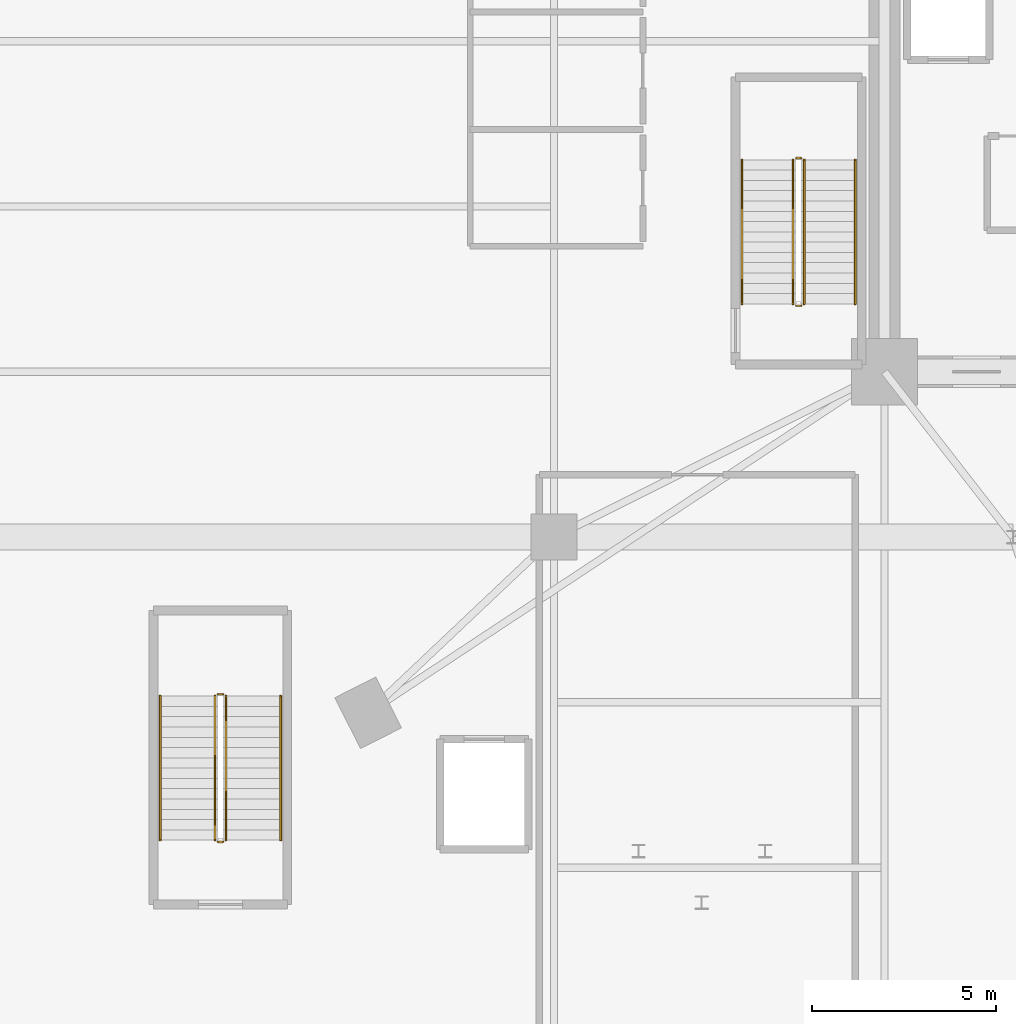
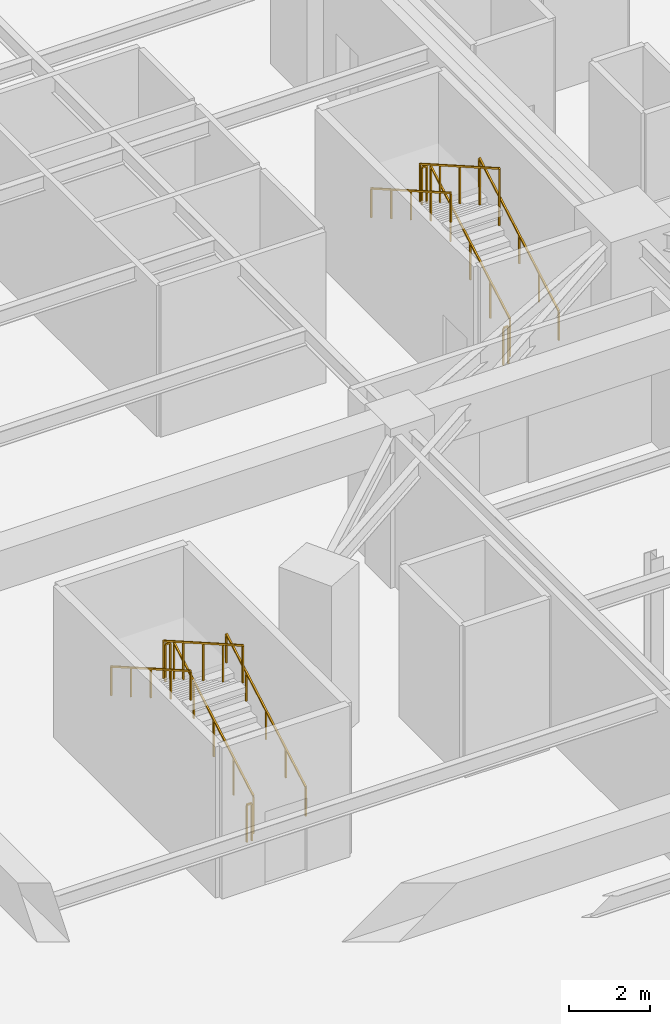
# One storey, part 17 of 20: 12 railings.
"""IFC4 building model written with IfcOpenShell, lengths in metres."""

from ifc_helpers import new_model, si_unit, direction, frame, origin, origin_2d, place, context, subcontext, project, spatial, rectangle, extrude, material, type_object, element, save


model = new_model("IFC4")

# Units and contexts
model_context = context("Model", 3, precision=1e-05, world=origin(), true_north=direction((0.0, 1.0)))
body_context = subcontext(model_context, "Body", "Model", "MODEL_VIEW")
ifc_project = project(units=[si_unit("LENGTHUNIT", "METRE"), si_unit("AREAUNIT", "SQUARE_METRE"), si_unit("VOLUMEUNIT", "CUBIC_METRE"), si_unit("PLANEANGLEUNIT", "RADIAN"), si_unit("MASSUNIT", "GRAM", prefix="KILO")], contexts=[model_context])

# Site, building, storey
site_placement = place(None, origin())
site = spatial("IfcSite", under=ifc_project, at=site_placement, CompositionType="ELEMENT")
building_placement = place(site_placement, origin())
building = spatial("IfcBuilding", under=site, at=building_placement, Name="Liaohun Quay Tower", CompositionType="ELEMENT")
storey_placement = place(building_placement, frame((0.0, 0.0, -4.800048828125)))
storey = spatial("IfcBuildingStorey", under=building, at=storey_placement, Name="B1", CompositionType="ELEMENT", Elevation=-4.800048828125)

# Railings
ifc_material_1 = material(Name="Painted tubular steel", Category="steel")
railing_type_1 = type_object("IfcRailingType", Name="RLG-GUARD-STR", PredefinedType="GUARDRAIL", material=ifc_material_1)
railing_1_placement = place(storey_placement, frame((48.81005859375, 48.35009765625, 0.16015625)))
element("IfcRailing", 1, at=railing_1_placement, inside=storey, type_object=railing_type_1, Name="B1 ST-1 stair guard 1", PredefinedType="GUARDRAIL", context=body_context, shape_type="SweptSolid", body=[
    extrude(rectangle(XDim=0.048095703125, YDim=0.048095703125, at=origin_2d()), frame((0.0, 0.0, 1.1259765625), z_axis=(0.0, 0.868239814368, 0.496144761885), x_axis=(-1.0, 0.0, 0.0)), (0.0, 0.0, 1.0), 4.514892578125),
    extrude(rectangle(XDim=0.0419921875, YDim=0.0419921875, at=origin_2d()), origin(), (0.0, 0.0, 1.0), 1.101806640625),
    extrude(rectangle(XDim=0.0419921875, YDim=0.0419921875, at=origin_2d()), frame((0.0, 0.97998046875, 0.56005859375)), (0.0, 0.0, 1.0), 1.101806640625),
    extrude(rectangle(XDim=0.0419921875, YDim=0.0419921875, at=origin_2d()), frame((0.0, 1.9599609375, 1.1201171875)), (0.0, 0.0, 1.0), 1.101806640625),
    extrude(rectangle(XDim=0.0419921875, YDim=0.0419921875, at=origin_2d()), frame((0.0, 2.93994140625, 1.679931640625)), (0.0, 0.0, 1.0), 1.101806640625),
    extrude(rectangle(XDim=0.0419921875, YDim=0.0419921875, at=origin_2d()), frame((0.0, 3.919921875, 2.239990234375)), (0.0, 0.0, 1.0), 1.101806640625),
])
railing_2_placement = place(storey_placement, frame((48.72998046875, 52.320068359375, 2.400146484375)))
element("IfcRailing", 2, at=railing_2_placement, inside=storey, type_object=railing_type_1, Name="B1 ST-1 stair guard 2", PredefinedType="GUARDRAIL", context=body_context, shape_type="SweptSolid", body=[
    extrude(rectangle(XDim=0.048095703125, YDim=0.048095703125, at=origin_2d()), frame((0.0, 0.0, 1.1259765625), z_axis=(-1.0, 0.0, 0.0), x_axis=(0.0, -1.0, 0.0)), (0.0, 0.0, 1.0), 0.139892578125),
    extrude(rectangle(XDim=0.0419921875, YDim=0.0419921875, at=origin_2d()), origin(), (0.0, 0.0, 1.0), 1.101806640625),
    extrude(rectangle(XDim=0.0419921875, YDim=0.0419921875, at=origin_2d()), frame((-0.139892578125, 0.0, 0.0)), (0.0, 0.0, 1.0), 1.101806640625),
])
railing_3_placement = place(storey_placement, frame((48.510009765625, 52.27001953125, 2.56005859375)))
element("IfcRailing", 3, at=railing_3_placement, inside=storey, type_object=railing_type_1, Name="B1 ST-1 stair guard 3", PredefinedType="GUARDRAIL", context=body_context, shape_type="SweptSolid", body=[
    extrude(rectangle(XDim=0.048095703125, YDim=0.048095703125, at=origin_2d()), frame((0.0, 0.0, 1.1259765625), z_axis=(0.0, -0.868239814368, 0.496144761885), x_axis=(1.0, 0.0, 0.0)), (0.0, 0.0, 1.0), 4.514892578125),
    extrude(rectangle(XDim=0.0419921875, YDim=0.0419921875, at=origin_2d()), origin(), (0.0, 0.0, 1.0), 1.101806640625),
    extrude(rectangle(XDim=0.0419921875, YDim=0.0419921875, at=origin_2d()), frame((0.0, -0.97998046875, 0.56005859375)), (0.0, 0.0, 1.0), 1.101806640625),
    extrude(rectangle(XDim=0.0419921875, YDim=0.0419921875, at=origin_2d()), frame((0.0, -1.9599609375, 1.1201171875)), (0.0, 0.0, 1.0), 1.101806640625),
    extrude(rectangle(XDim=0.0419921875, YDim=0.0419921875, at=origin_2d()), frame((0.0, -2.93994140625, 1.679931640625)), (0.0, 0.0, 1.0), 1.101806640625),
    extrude(rectangle(XDim=0.0419921875, YDim=0.0419921875, at=origin_2d()), frame((0.0, -3.919921875, 2.239990234375)), (0.0, 0.0, 1.0), 1.101806640625),
])
railing_4_placement = place(storey_placement, frame((48.72998046875, 48.300048828125, 0.0)))
element("IfcRailing", 4, at=railing_4_placement, inside=storey, type_object=railing_type_1, Name="B1 ST-1 stair guard 4", PredefinedType="GUARDRAIL", context=body_context, shape_type="SweptSolid", body=[
    extrude(rectangle(XDim=0.048095703125, YDim=0.048095703125, at=origin_2d()), frame((0.0, 0.0, 1.1259765625), z_axis=(-1.0, 0.0, 0.0), x_axis=(0.0, -1.0, 0.0)), (0.0, 0.0, 1.0), 0.139892578125),
    extrude(rectangle(XDim=0.0419921875, YDim=0.0419921875, at=origin_2d()), origin(), (0.0, 0.0, 1.0), 1.101806640625),
    extrude(rectangle(XDim=0.0419921875, YDim=0.0419921875, at=origin_2d()), frame((-0.139892578125, 0.0, 0.0)), (0.0, 0.0, 1.0), 1.101806640625),
])
railing_5_placement = place(storey_placement, frame((33.070068359375, 33.75, 0.16015625)))
element("IfcRailing", 5, at=railing_5_placement, inside=storey, type_object=railing_type_1, Name="B1 ST-P1 stair guard 1", PredefinedType="GUARDRAIL", context=body_context, shape_type="SweptSolid", body=[
    extrude(rectangle(XDim=0.048095703125, YDim=0.048095703125, at=origin_2d()), frame((0.0, 0.0, 1.1259765625), z_axis=(0.0, 0.868239814368, 0.496144761885), x_axis=(-1.0, 0.0, 0.0)), (0.0, 0.0, 1.0), 4.514892578125),
    extrude(rectangle(XDim=0.0419921875, YDim=0.0419921875, at=origin_2d()), origin(), (0.0, 0.0, 1.0), 1.101806640625),
    extrude(rectangle(XDim=0.0419921875, YDim=0.0419921875, at=origin_2d()), frame((0.0, 0.97998046875, 0.56005859375)), (0.0, 0.0, 1.0), 1.101806640625),
    extrude(rectangle(XDim=0.0419921875, YDim=0.0419921875, at=origin_2d()), frame((0.0, 1.9599609375, 1.1201171875)), (0.0, 0.0, 1.0), 1.101806640625),
    extrude(rectangle(XDim=0.0419921875, YDim=0.0419921875, at=origin_2d()), frame((0.0, 2.93994140625, 1.679931640625)), (0.0, 0.0, 1.0), 1.101806640625),
    extrude(rectangle(XDim=0.0419921875, YDim=0.0419921875, at=origin_2d()), frame((0.0, 3.919921875, 2.239990234375)), (0.0, 0.0, 1.0), 1.101806640625),
])
railing_6_placement = place(storey_placement, frame((32.989990234375, 37.719970703125, 2.400146484375)))
element("IfcRailing", 6, at=railing_6_placement, inside=storey, type_object=railing_type_1, Name="B1 ST-P1 stair guard 2", PredefinedType="GUARDRAIL", context=body_context, shape_type="SweptSolid", body=[
    extrude(rectangle(XDim=0.048095703125, YDim=0.048095703125, at=origin_2d()), frame((0.0, 0.0, 1.1259765625), z_axis=(-1.0, 0.0, 0.0), x_axis=(0.0, -1.0, 0.0)), (0.0, 0.0, 1.0), 0.139892578125),
    extrude(rectangle(XDim=0.0419921875, YDim=0.0419921875, at=origin_2d()), origin(), (0.0, 0.0, 1.0), 1.101806640625),
    extrude(rectangle(XDim=0.0419921875, YDim=0.0419921875, at=origin_2d()), frame((-0.139892578125, 0.0, 0.0)), (0.0, 0.0, 1.0), 1.101806640625),
])
railing_7_placement = place(storey_placement, frame((32.77001953125, 37.669921875, 2.56005859375)))
element("IfcRailing", 7, at=railing_7_placement, inside=storey, type_object=railing_type_1, Name="B1 ST-P1 stair guard 3", PredefinedType="GUARDRAIL", context=body_context, shape_type="SweptSolid", body=[
    extrude(rectangle(XDim=0.048095703125, YDim=0.048095703125, at=origin_2d()), frame((0.0, 0.0, 1.1259765625), z_axis=(0.0, -0.868239814368, 0.496144761885), x_axis=(1.0, 0.0, 0.0)), (0.0, 0.0, 1.0), 4.514892578125),
    extrude(rectangle(XDim=0.0419921875, YDim=0.0419921875, at=origin_2d()), origin(), (0.0, 0.0, 1.0), 1.101806640625),
    extrude(rectangle(XDim=0.0419921875, YDim=0.0419921875, at=origin_2d()), frame((0.0, -0.97998046875, 0.56005859375)), (0.0, 0.0, 1.0), 1.101806640625),
    extrude(rectangle(XDim=0.0419921875, YDim=0.0419921875, at=origin_2d()), frame((0.0, -1.9599609375, 1.1201171875)), (0.0, 0.0, 1.0), 1.101806640625),
    extrude(rectangle(XDim=0.0419921875, YDim=0.0419921875, at=origin_2d()), frame((0.0, -2.93994140625, 1.679931640625)), (0.0, 0.0, 1.0), 1.101806640625),
    extrude(rectangle(XDim=0.0419921875, YDim=0.0419921875, at=origin_2d()), frame((0.0, -3.919921875, 2.239990234375)), (0.0, 0.0, 1.0), 1.101806640625),
])
railing_8_placement = place(storey_placement, frame((32.989990234375, 33.699951171875, 0.0)))
element("IfcRailing", 8, at=railing_8_placement, inside=storey, type_object=railing_type_1, Name="B1 ST-P1 stair guard 4", PredefinedType="GUARDRAIL", context=body_context, shape_type="SweptSolid", body=[
    extrude(rectangle(XDim=0.048095703125, YDim=0.048095703125, at=origin_2d()), frame((0.0, 0.0, 1.1259765625), z_axis=(-1.0, 0.0, 0.0), x_axis=(0.0, -1.0, 0.0)), (0.0, 0.0, 1.0), 0.139892578125),
    extrude(rectangle(XDim=0.0419921875, YDim=0.0419921875, at=origin_2d()), origin(), (0.0, 0.0, 1.0), 1.101806640625),
    extrude(rectangle(XDim=0.0419921875, YDim=0.0419921875, at=origin_2d()), frame((-0.139892578125, 0.0, 0.0)), (0.0, 0.0, 1.0), 1.101806640625),
])
ifc_material_2 = material(Name="Brushed stainless steel", Category="steel")
railing_type_2 = type_object("IfcRailingType", Name="RLG-HND-STR", PredefinedType="HANDRAIL", material=ifc_material_2)
railing_9_placement = place(storey_placement, frame((50.199951171875, 48.35009765625, 0.16015625)))
element("IfcRailing", 9, at=railing_9_placement, inside=storey, type_object=railing_type_2, Name="B1 ST-1 stair handrail 1", PredefinedType="HANDRAIL", context=body_context, shape_type="SweptSolid", body=[
    extrude(rectangle(XDim=0.048095703125, YDim=0.048095703125, at=origin_2d()), frame((0.0, 0.0, 0.8759765625), z_axis=(0.0, 0.868239814368, 0.496144761885), x_axis=(-1.0, 0.0, 0.0)), (0.0, 0.0, 1.0), 4.514892578125),
    extrude(rectangle(XDim=0.0419921875, YDim=0.0419921875, at=origin_2d()), origin(), (0.0, 0.0, 1.0), 0.851806640625),
    extrude(rectangle(XDim=0.0419921875, YDim=0.0419921875, at=origin_2d()), frame((0.0, 0.97998046875, 0.56005859375)), (0.0, 0.0, 1.0), 0.851806640625),
    extrude(rectangle(XDim=0.0419921875, YDim=0.0419921875, at=origin_2d()), frame((0.0, 1.9599609375, 1.1201171875)), (0.0, 0.0, 1.0), 0.851806640625),
    extrude(rectangle(XDim=0.0419921875, YDim=0.0419921875, at=origin_2d()), frame((0.0, 2.93994140625, 1.679931640625)), (0.0, 0.0, 1.0), 0.851806640625),
    extrude(rectangle(XDim=0.0419921875, YDim=0.0419921875, at=origin_2d()), frame((0.0, 3.919921875, 2.239990234375)), (0.0, 0.0, 1.0), 0.851806640625),
])
railing_10_placement = place(storey_placement, frame((47.1201171875, 52.27001953125, 2.56005859375)))
element("IfcRailing", 10, at=railing_10_placement, inside=storey, type_object=railing_type_2, Name="B1 ST-1 stair handrail 2", PredefinedType="HANDRAIL", context=body_context, shape_type="SweptSolid", body=[
    extrude(rectangle(XDim=0.048095703125, YDim=0.048095703125, at=origin_2d()), frame((0.0, 0.0, 0.8759765625), z_axis=(0.0, -0.868239814368, 0.496144761885), x_axis=(1.0, 0.0, 0.0)), (0.0, 0.0, 1.0), 4.514892578125),
    extrude(rectangle(XDim=0.0419921875, YDim=0.0419921875, at=origin_2d()), origin(), (0.0, 0.0, 1.0), 0.851806640625),
    extrude(rectangle(XDim=0.0419921875, YDim=0.0419921875, at=origin_2d()), frame((0.0, -0.97998046875, 0.56005859375)), (0.0, 0.0, 1.0), 0.851806640625),
    extrude(rectangle(XDim=0.0419921875, YDim=0.0419921875, at=origin_2d()), frame((0.0, -1.9599609375, 1.1201171875)), (0.0, 0.0, 1.0), 0.851806640625),
    extrude(rectangle(XDim=0.0419921875, YDim=0.0419921875, at=origin_2d()), frame((0.0, -2.93994140625, 1.679931640625)), (0.0, 0.0, 1.0), 0.851806640625),
    extrude(rectangle(XDim=0.0419921875, YDim=0.0419921875, at=origin_2d()), frame((0.0, -3.919921875, 2.239990234375)), (0.0, 0.0, 1.0), 0.851806640625),
])
railing_11_placement = place(storey_placement, frame((34.56005859375, 33.75, 0.16015625)))
element("IfcRailing", 11, at=railing_11_placement, inside=storey, type_object=railing_type_2, Name="B1 ST-P1 stair handrail 1", PredefinedType="HANDRAIL", context=body_context, shape_type="SweptSolid", body=[
    extrude(rectangle(XDim=0.048095703125, YDim=0.048095703125, at=origin_2d()), frame((0.0, 0.0, 0.8759765625), z_axis=(0.0, 0.868239814368, 0.496144761885), x_axis=(-1.0, 0.0, 0.0)), (0.0, 0.0, 1.0), 4.514892578125),
    extrude(rectangle(XDim=0.0419921875, YDim=0.0419921875, at=origin_2d()), origin(), (0.0, 0.0, 1.0), 0.851806640625),
    extrude(rectangle(XDim=0.0419921875, YDim=0.0419921875, at=origin_2d()), frame((0.0, 0.97998046875, 0.56005859375)), (0.0, 0.0, 1.0), 0.851806640625),
    extrude(rectangle(XDim=0.0419921875, YDim=0.0419921875, at=origin_2d()), frame((0.0, 1.9599609375, 1.1201171875)), (0.0, 0.0, 1.0), 0.851806640625),
    extrude(rectangle(XDim=0.0419921875, YDim=0.0419921875, at=origin_2d()), frame((0.0, 2.93994140625, 1.679931640625)), (0.0, 0.0, 1.0), 0.851806640625),
    extrude(rectangle(XDim=0.0419921875, YDim=0.0419921875, at=origin_2d()), frame((0.0, 3.919921875, 2.239990234375)), (0.0, 0.0, 1.0), 0.851806640625),
])
railing_12_placement = place(storey_placement, frame((31.280029296875, 37.669921875, 2.56005859375)))
element("IfcRailing", 12, at=railing_12_placement, inside=storey, type_object=railing_type_2, Name="B1 ST-P1 stair handrail 2", PredefinedType="HANDRAIL", context=body_context, shape_type="SweptSolid", body=[
    extrude(rectangle(XDim=0.048095703125, YDim=0.048095703125, at=origin_2d()), frame((0.0, 0.0, 0.8759765625), z_axis=(0.0, -0.868239814368, 0.496144761885), x_axis=(1.0, 0.0, 0.0)), (0.0, 0.0, 1.0), 4.514892578125),
    extrude(rectangle(XDim=0.0419921875, YDim=0.0419921875, at=origin_2d()), origin(), (0.0, 0.0, 1.0), 0.851806640625),
    extrude(rectangle(XDim=0.0419921875, YDim=0.0419921875, at=origin_2d()), frame((0.0, -0.97998046875, 0.56005859375)), (0.0, 0.0, 1.0), 0.851806640625),
    extrude(rectangle(XDim=0.0419921875, YDim=0.0419921875, at=origin_2d()), frame((0.0, -1.9599609375, 1.1201171875)), (0.0, 0.0, 1.0), 0.851806640625),
    extrude(rectangle(XDim=0.0419921875, YDim=0.0419921875, at=origin_2d()), frame((0.0, -2.93994140625, 1.679931640625)), (0.0, 0.0, 1.0), 0.851806640625),
    extrude(rectangle(XDim=0.0419921875, YDim=0.0419921875, at=origin_2d()), frame((0.0, -3.919921875, 2.239990234375)), (0.0, 0.0, 1.0), 0.851806640625),
])

save(model, "model.ifc")
